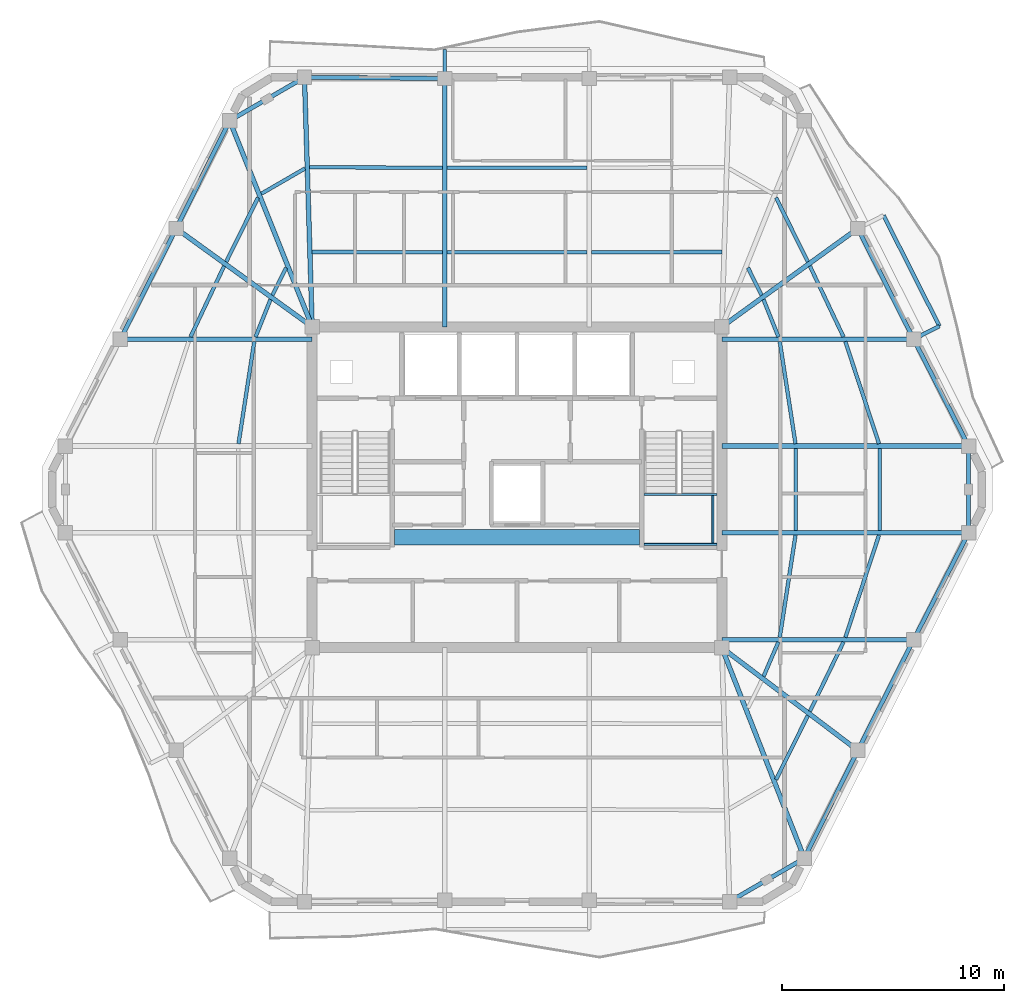
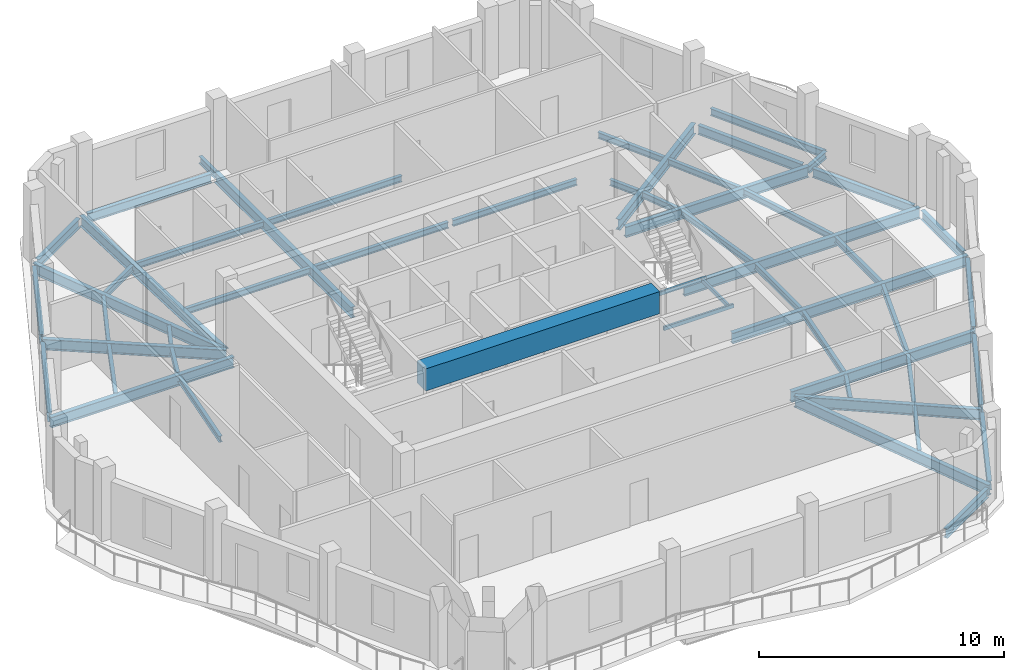
# One storey, part 2 of 10: 54 beams.
"""IFC4 building model written with IfcOpenShell, lengths in metres."""

from ifc_helpers import new_model, si_unit, direction, frame, origin, origin_2d, place, context, subcontext, project, spatial, rectangle, hollow_rectangle, i_section, extrude, material, material_profile, profile_set, type_object, element, save


model = new_model("IFC4")

# Units and contexts
model_context = context("Model", 3, precision=1e-05, world=origin(), true_north=direction((0.0, 1.0)))
body_context = subcontext(model_context, "Body", "Model", "MODEL_VIEW")
ifc_project = project(units=[si_unit("LENGTHUNIT", "METRE"), si_unit("AREAUNIT", "SQUARE_METRE"), si_unit("VOLUMEUNIT", "CUBIC_METRE"), si_unit("PLANEANGLEUNIT", "RADIAN"), si_unit("MASSUNIT", "GRAM", prefix="KILO")], contexts=[model_context])

# Site, building, storey
site_placement = place(None, origin())
site = spatial("IfcSite", under=ifc_project, at=site_placement, CompositionType="ELEMENT")
building_placement = place(site_placement, origin())
building = spatial("IfcBuilding", under=site, at=building_placement, Name="Cinnabar Lancet Tower", CompositionType="ELEMENT")
storey_placement = place(building_placement, frame((0.0, 0.0, 267.14990234375)))
storey = spatial("IfcBuildingStorey", under=building, at=storey_placement, Name="L71", CompositionType="ELEMENT", Elevation=267.14990234375)

# Beams
ifc_material_1 = material(Name="Concrete C70/85", Category="concrete")
ifc_material_profile_1 = material_profile(ifc_material_1, rectangle(XDim=0.699951171875, YDim=1.10009765625, at=origin_2d()), Name="RC-CB 700x1100")
ifc_profile_set_1 = profile_set([ifc_material_profile_1], Name="Concrete C70/85")
beam_type_1 = type_object("IfcBeamType", Name="STR-BM-CB-1100", PredefinedType="BEAM", material=ifc_profile_set_1)
beam_1_placement = place(storey_placement, frame((26.8798828125, 23.64990234375, 2.900146484375), z_axis=(1.0, 0.0, 0.0), x_axis=(0.0, 1.0, 0.0)))
element("IfcBeam", 1, at=beam_1_placement, inside=storey, type_object=beam_type_1, Name="L71 Core Coupling Beam", PredefinedType="BEAM", context=body_context, shape_type="SweptSolid", body=[
    extrude(rectangle(XDim=0.699951171875, YDim=1.10009765625, at=origin_2d()), origin(), (0.0, 0.0, 1.0), 11.0400390625),
])
ifc_material_2 = material(Name="Structural steel S355", Category="steel")
ifc_material_profile_2 = material_profile(ifc_material_2, i_section(OverallWidth=0.1650390625, OverallDepth=0.303466796875, WebThickness=0.006103515625, FlangeThickness=0.01025390625, FilletRadius=0.0087890625, at=origin_2d()), Name="UKB 305x165x40")
ifc_profile_set_2 = profile_set([ifc_material_profile_2], Name="Structural steel S355")
beam_type_2 = type_object("IfcBeamType", Name="STR-BM-JST-305", PredefinedType="JOIST", material=ifc_profile_set_2)
beam_2_placement = place(storey_placement, frame((44.06591796875, 12.73193359375, -0.351806640625), z_axis=(0.444391284604, 0.895832789179, 0.0), x_axis=(-0.895832789179, 0.444391284604, 0.0)))
element("IfcBeam", 2, at=beam_2_placement, inside=storey, type_object=beam_type_2, Name="L71 Secondary Floor Joist 15", PredefinedType="JOIST", context=body_context, shape_type="SweptSolid", body=[
    extrude(i_section(OverallWidth=0.1650390625, OverallDepth=0.303466796875, WebThickness=0.006103515625, FlangeThickness=0.01025390625, FilletRadius=0.0087890625, at=origin_2d()), origin(), (0.0, 0.0, 1.0), 3.220458984375),
])
beam_3_placement = place(storey_placement, frame((45.591064453125, 15.80810546875, -0.351806640625), z_axis=(0.43610936109, 0.899893674369, 0.0), x_axis=(-0.899893674369, 0.43610936109, 0.0)))
element("IfcBeam", 3, at=beam_3_placement, inside=storey, type_object=beam_type_2, Name="L71 Secondary Floor Joist 17", PredefinedType="JOIST", context=body_context, shape_type="SweptSolid", body=[
    extrude(i_section(OverallWidth=0.1650390625, OverallDepth=0.303466796875, WebThickness=0.006103515625, FlangeThickness=0.01025390625, FilletRadius=0.0087890625, at=origin_2d()), origin(), (0.0, 0.0, 1.0), 3.467041015625),
])
beam_4_placement = place(storey_placement, frame((43.5048828125, 17.385009765625, -0.351806640625), z_axis=(0.396302440144, 0.91812002262, 0.0), x_axis=(-0.91812002262, 0.396302440144, 0.0)))
element("IfcBeam", 4, at=beam_4_placement, inside=storey, type_object=beam_type_2, Name="L71 Secondary Floor Joist 18", PredefinedType="JOIST", context=body_context, shape_type="SweptSolid", body=[
    extrude(i_section(OverallWidth=0.1650390625, OverallDepth=0.303466796875, WebThickness=0.006103515625, FlangeThickness=0.01025390625, FilletRadius=0.0087890625, at=origin_2d()), origin(), (0.0, 0.0, 1.0), 1.6806640625),
])
beam_5_placement = place(storey_placement, frame((47.18798828125, 19.137939453125, -0.351806640625), z_axis=(0.312491145371, 0.949920672512, 0.0), x_axis=(-0.949920672512, 0.312491145371, 0.0)))
element("IfcBeam", 5, at=beam_5_placement, inside=storey, type_object=beam_type_2, Name="L71 Secondary Floor Joist 19", PredefinedType="JOIST", context=body_context, shape_type="SweptSolid", body=[
    extrude(i_section(OverallWidth=0.1650390625, OverallDepth=0.303466796875, WebThickness=0.006103515625, FlangeThickness=0.01025390625, FilletRadius=0.0087890625, at=origin_2d()), origin(), (0.0, 0.0, 1.0), 4.8447265625),
])
beam_6_placement = place(storey_placement, frame((44.23291015625, 19.137939453125, -0.351806640625), z_axis=(0.152262059154, 0.988340156698, 0.0), x_axis=(-0.988340156698, 0.152262059154, 0.0)))
element("IfcBeam", 6, at=beam_6_placement, inside=storey, type_object=beam_type_2, Name="L71 Secondary Floor Joist 20", PredefinedType="JOIST", context=body_context, shape_type="SweptSolid", body=[
    extrude(i_section(OverallWidth=0.1650390625, OverallDepth=0.303466796875, WebThickness=0.006103515625, FlangeThickness=0.01025390625, FilletRadius=0.0087890625, at=origin_2d()), origin(), (0.0, 0.0, 1.0), 4.65625),
])
for number, where, z_axis, x_axis, name in (
    (7, (48.737060546875, 23.949951171875, -0.351806640625), (0.0, 1.0, 0.0), (-1.0, 0.0, 0.0), "L71 Secondary Floor Joist 21"),
    (8, (44.958984375, 23.949951171875, -0.351806640625), (0.0, 1.0, 0.0), (-1.0, 0.0, 0.0), "L71 Secondary Floor Joist 22"),
):
    element("IfcBeam", number, at=place(storey_placement, frame(where, z_axis=z_axis, x_axis=x_axis)), inside=storey, type_object=beam_type_2, Name=name, PredefinedType="JOIST", context=body_context, shape_type="SweptSolid", body=[
        extrude(i_section(OverallWidth=0.1650390625, OverallDepth=0.303466796875, WebThickness=0.006103515625, FlangeThickness=0.01025390625, FilletRadius=0.0087890625, at=origin_2d()), origin(), (0.0, 0.0, 1.0), 3.699951171875),
    ])
beam_7_placement = place(storey_placement, frame((48.701904296875, 27.860107421875, -0.351806640625), z_axis=(-0.312506104996, 0.94991575118, 0.0), x_axis=(-0.94991575118, -0.312506104996, 0.0)))
element("IfcBeam", 9, at=beam_7_placement, inside=storey, type_object=beam_type_2, Name="L71 Secondary Floor Joist 23", PredefinedType="JOIST", context=body_context, shape_type="SweptSolid", body=[
    extrude(i_section(OverallWidth=0.1650390625, OverallDepth=0.303466796875, WebThickness=0.006103515625, FlangeThickness=0.01025390625, FilletRadius=0.0087890625, at=origin_2d()), origin(), (0.0, 0.0, 1.0), 4.844482421875),
])
beam_8_placement = place(storey_placement, frame((44.94189453125, 27.860107421875, -0.351806640625), z_axis=(-0.152269949853, 0.988338941038, 0.0), x_axis=(-0.988338941038, -0.152269949853, 0.0)))
element("IfcBeam", 10, at=beam_8_placement, inside=storey, type_object=beam_type_2, Name="L71 Secondary Floor Joist 24", PredefinedType="JOIST", context=body_context, shape_type="SweptSolid", body=[
    extrude(i_section(OverallWidth=0.1650390625, OverallDepth=0.303466796875, WebThickness=0.006103515625, FlangeThickness=0.01025390625, FilletRadius=0.0087890625, at=origin_2d()), origin(), (0.0, 0.0, 1.0), 4.656005859375),
])
beam_9_placement = place(storey_placement, frame((47.10400390625, 32.672119140625, -0.351806640625), z_axis=(-0.428647868514, 0.903471640296, 0.0), x_axis=(-0.903471640296, -0.428647868514, 0.0)))
element("IfcBeam", 11, at=beam_9_placement, inside=storey, type_object=beam_type_2, Name="L71 Secondary Floor Joist 25", PredefinedType="JOIST", context=body_context, shape_type="SweptSolid", body=[
    extrude(i_section(OverallWidth=0.1650390625, OverallDepth=0.303466796875, WebThickness=0.006103515625, FlangeThickness=0.01025390625, FilletRadius=0.0087890625, at=origin_2d()), origin(), (0.0, 0.0, 1.0), 3.53173828125),
])
beam_10_placement = place(storey_placement, frame((44.175048828125, 32.672119140625, -0.351806640625), z_axis=(-0.37155332079, 0.928411616585, 0.0), x_axis=(-0.928411616585, -0.37155332079, 0.0)))
element("IfcBeam", 12, at=beam_10_placement, inside=storey, type_object=beam_type_2, Name="L71 Secondary Floor Joist 26", PredefinedType="JOIST", context=body_context, shape_type="SweptSolid", body=[
    extrude(i_section(OverallWidth=0.1650390625, OverallDepth=0.303466796875, WebThickness=0.006103515625, FlangeThickness=0.01025390625, FilletRadius=0.0087890625, at=origin_2d()), origin(), (0.0, 0.0, 1.0), 1.8115234375),
])
beam_11_placement = place(storey_placement, frame((45.4970703125, 36.054931640625, -0.351806640625), z_axis=(-0.44427059531, 0.895892648783, 0.0), x_axis=(-0.895892648783, -0.44427059531, 0.0)))
element("IfcBeam", 13, at=beam_11_placement, inside=storey, type_object=beam_type_2, Name="L71 Secondary Floor Joist 27", PredefinedType="JOIST", context=body_context, shape_type="SweptSolid", body=[
    extrude(i_section(OverallWidth=0.1650390625, OverallDepth=0.303466796875, WebThickness=0.006103515625, FlangeThickness=0.01025390625, FilletRadius=0.0087890625, at=origin_2d()), origin(), (0.0, 0.0, 1.0), 3.221435546875),
])
beam_12_placement = place(storey_placement, frame((43.4150390625, 34.549072265625, -0.351806640625), z_axis=(-0.444661746427, 0.895698571655, 0.0), x_axis=(-0.895698571655, -0.444661746427, 0.0)))
element("IfcBeam", 14, at=beam_12_placement, inside=storey, type_object=beam_type_2, Name="L71 Secondary Floor Joist 28", PredefinedType="JOIST", context=body_context, shape_type="SweptSolid", body=[
    extrude(i_section(OverallWidth=0.1650390625, OverallDepth=0.303466796875, WebThickness=0.006103515625, FlangeThickness=0.01025390625, FilletRadius=0.0087890625, at=origin_2d()), origin(), (0.0, 0.0, 1.0), 1.378662109375),
])
beam_13_placement = place(storey_placement, frame((41.6240234375, 36.49609375, -0.351806640625), z_axis=(-0.999996226008, -0.002747356738, 0.0), x_axis=(0.002747356738, -0.999996226008, 0.0)))
element("IfcBeam", 15, at=beam_13_placement, inside=storey, type_object=beam_type_2, Name="L71 Secondary Floor Joist 31", PredefinedType="JOIST", context=body_context, shape_type="SweptSolid", body=[
    extrude(i_section(OverallWidth=0.1650390625, OverallDepth=0.303466796875, WebThickness=0.006103515625, FlangeThickness=0.01025390625, FilletRadius=0.0087890625, at=origin_2d()), origin(), (0.0, 0.0, 1.0), 5.864990234375),
])
for number, where, z_axis, x_axis, name in (
    (16, (35.549072265625, 40.281982421875, -0.351806640625), (-1.0, 0.0, 0.0), (0.0, -1.0, 0.0), "L71 Secondary Floor Joist 32"),
    (17, (35.549072265625, 36.47998046875, -0.351806640625), (-1.0, 0.0, 0.0), (0.0, -1.0, 0.0), "L71 Secondary Floor Joist 33"),
):
    element("IfcBeam", number, at=place(storey_placement, frame(where, z_axis=z_axis, x_axis=x_axis)), inside=storey, type_object=beam_type_2, Name=name, PredefinedType="JOIST", context=body_context, shape_type="SweptSolid", body=[
        extrude(i_section(OverallWidth=0.1650390625, OverallDepth=0.303466796875, WebThickness=0.006103515625, FlangeThickness=0.01025390625, FilletRadius=0.0087890625, at=origin_2d()), origin(), (0.0, 0.0, 1.0), 6.298095703125),
    ])
beam_14_placement = place(storey_placement, frame((29.041015625, 40.282958984375, -0.351806640625), z_axis=(-0.999985712428, 0.005345553266, 0.0), x_axis=(-0.005345553266, -0.999985712428, 0.0)))
element("IfcBeam", 18, at=beam_14_placement, inside=storey, type_object=beam_type_2, Name="L71 Secondary Floor Joist 34", PredefinedType="JOIST", context=body_context, shape_type="SweptSolid", body=[
    extrude(i_section(OverallWidth=0.1650390625, OverallDepth=0.303466796875, WebThickness=0.006103515625, FlangeThickness=0.01025390625, FilletRadius=0.0087890625, at=origin_2d()), origin(), (0.0, 0.0, 1.0), 5.98291015625),
])
beam_15_placement = place(storey_placement, frame((29.041015625, 36.47998046875, -0.351806640625), z_axis=(-0.999996226008, 0.002747356738, 0.0), x_axis=(-0.002747356738, -0.999996226008, 0.0)))
element("IfcBeam", 19, at=beam_15_placement, inside=storey, type_object=beam_type_2, Name="L71 Secondary Floor Joist 35", PredefinedType="JOIST", context=body_context, shape_type="SweptSolid", body=[
    extrude(i_section(OverallWidth=0.1650390625, OverallDepth=0.303466796875, WebThickness=0.006103515625, FlangeThickness=0.01025390625, FilletRadius=0.0087890625, at=origin_2d()), origin(), (0.0, 0.0, 1.0), 5.864990234375),
])
beam_16_placement = place(storey_placement, frame((22.85009765625, 40.256103515625, -0.351806640625), z_axis=(-0.865426285481, -0.501036270542, 0.0), x_axis=(0.501036270542, -0.865426285481, 0.0)))
element("IfcBeam", 20, at=beam_16_placement, inside=storey, type_object=beam_type_2, Name="L71 Secondary Floor Joist 36", PredefinedType="JOIST", context=body_context, shape_type="SweptSolid", body=[
    extrude(i_section(OverallWidth=0.1650390625, OverallDepth=0.303466796875, WebThickness=0.006103515625, FlangeThickness=0.01025390625, FilletRadius=0.0087890625, at=origin_2d()), origin(), (0.0, 0.0, 1.0), 2.267333984375),
])
beam_17_placement = place(storey_placement, frame((20.73388671875, 38.94091796875, -0.351806640625), z_axis=(-0.444209762814, -0.89592281287, 0.0), x_axis=(0.89592281287, -0.444209762814, 0.0)))
element("IfcBeam", 21, at=beam_17_placement, inside=storey, type_object=beam_type_2, Name="L71 Secondary Floor Joist 37", PredefinedType="JOIST", context=body_context, shape_type="SweptSolid", body=[
    extrude(i_section(OverallWidth=0.1650390625, OverallDepth=0.303466796875, WebThickness=0.006103515625, FlangeThickness=0.01025390625, FilletRadius=0.0087890625, at=origin_2d()), origin(), (0.0, 0.0, 1.0), 3.22119140625),
])
beam_18_placement = place(storey_placement, frame((21.998046875, 35.783935546875, -0.351806640625), z_axis=(-0.444661746427, -0.895698571655, 0.0), x_axis=(0.895698571655, -0.444661746427, 0.0)))
element("IfcBeam", 22, at=beam_18_placement, inside=storey, type_object=beam_type_2, Name="L71 Secondary Floor Joist 38", PredefinedType="JOIST", context=body_context, shape_type="SweptSolid", body=[
    extrude(i_section(OverallWidth=0.1650390625, OverallDepth=0.303466796875, WebThickness=0.006103515625, FlangeThickness=0.01025390625, FilletRadius=0.0087890625, at=origin_2d()), origin(), (0.0, 0.0, 1.0), 1.378662109375),
])
beam_19_placement = place(storey_placement, frame((19.2099609375, 35.863037109375, -0.351806640625), z_axis=(-0.428647868514, -0.903471640296, 0.0), x_axis=(0.903471640296, -0.428647868514, 0.0)))
element("IfcBeam", 23, at=beam_19_placement, inside=storey, type_object=beam_type_2, Name="L71 Secondary Floor Joist 39", PredefinedType="JOIST", context=body_context, shape_type="SweptSolid", body=[
    extrude(i_section(OverallWidth=0.1650390625, OverallDepth=0.303466796875, WebThickness=0.006103515625, FlangeThickness=0.01025390625, FilletRadius=0.0087890625, at=origin_2d()), origin(), (0.0, 0.0, 1.0), 3.53173828125),
])
beam_20_placement = place(storey_placement, frame((21.298095703125, 34.35400390625, -0.351806640625), z_axis=(-0.37155332079, -0.928411616585, 0.0), x_axis=(0.928411616585, -0.37155332079, 0.0)))
element("IfcBeam", 24, at=beam_20_placement, inside=storey, type_object=beam_type_2, Name="L71 Secondary Floor Joist 40", PredefinedType="JOIST", context=body_context, shape_type="SweptSolid", body=[
    extrude(i_section(OverallWidth=0.1650390625, OverallDepth=0.303466796875, WebThickness=0.006103515625, FlangeThickness=0.01025390625, FilletRadius=0.0087890625, at=origin_2d()), origin(), (0.0, 0.0, 1.0), 1.8115234375),
])
beam_21_placement = place(storey_placement, frame((20.56689453125, 32.4619140625, -0.351806640625), z_axis=(-0.152269949853, -0.988338941038, 0.0), x_axis=(0.988338941038, -0.152269949853, 0.0)))
element("IfcBeam", 25, at=beam_21_placement, inside=storey, type_object=beam_type_2, Name="L71 Secondary Floor Joist 42", PredefinedType="JOIST", context=body_context, shape_type="SweptSolid", body=[
    extrude(i_section(OverallWidth=0.1650390625, OverallDepth=0.303466796875, WebThickness=0.006103515625, FlangeThickness=0.01025390625, FilletRadius=0.0087890625, at=origin_2d()), origin(), (0.0, 0.0, 1.0), 4.656005859375),
])
ifc_material_3 = material(Name="Structural steel S355", Category="steel")
ifc_material_profile_3 = material_profile(ifc_material_3, hollow_rectangle(XDim=0.10009765625, YDim=0.199951171875, WallThickness=0.008056640625, InnerFilletRadius=0.00390625, OuterFilletRadius=0.011962890625, at=origin_2d()), Name="RHS 200x100x8")
ifc_profile_set_3 = profile_set([ifc_material_profile_3], Name="Structural steel S355")
beam_type_3 = type_object("IfcBeamType", Name="STR-BM-LND-203", PredefinedType="BEAM", material=ifc_profile_set_3)
for number, where, z_axis, x_axis, name in (
    (26, (38.1201171875, 23.330078125, 1.525146484375), (1.0, 0.0, 0.0), (0.0, 1.0, 0.0), "L71 ST-2-L71 Landing Support Beam S"),
    (27, (38.1201171875, 25.570068359375, 1.525146484375), (1.0, 0.0, 0.0), (0.0, 1.0, 0.0), "L71 ST-2-L71 Landing Support Beam N"),
):
    element("IfcBeam", number, at=place(storey_placement, frame(where, z_axis=z_axis, x_axis=x_axis)), inside=storey, type_object=beam_type_3, Name=name, PredefinedType="BEAM", context=body_context, shape_type="SweptSolid", body=[
        extrude(hollow_rectangle(XDim=0.10009765625, YDim=0.199951171875, WallThickness=0.008056640625, InnerFilletRadius=0.00390625, OuterFilletRadius=0.011962890625, at=origin_2d()), origin(), (0.0, 0.0, 1.0), 3.27978515625),
    ])
beam_22_placement = place(storey_placement, frame((41.219970703125, 23.3798828125, 1.525146484375), z_axis=(0.0, 1.0, 0.0), x_axis=(-1.0, 0.0, 0.0)))
element("IfcBeam", 28, at=beam_22_placement, inside=storey, type_object=beam_type_3, Name="L71 ST-2-L71 Landing Side Trimmer Beam", PredefinedType="BEAM", context=body_context, shape_type="SweptSolid", body=[
    extrude(hollow_rectangle(XDim=0.10009765625, YDim=0.199951171875, WallThickness=0.008056640625, InnerFilletRadius=0.00390625, OuterFilletRadius=0.011962890625, at=origin_2d()), origin(), (0.0, 0.0, 1.0), 2.14013671875),
])
ifc_material_4 = material(Name="Structural steel S355", Category="steel")
ifc_material_profile_4 = material_profile(ifc_material_4, i_section(OverallWidth=0.1904296875, OverallDepth=0.45703125, WebThickness=0.009033203125, FlangeThickness=0.014404296875, FilletRadius=0.01025390625, at=origin_2d()), Name="UKB 457x191x74")
ifc_profile_set_4 = profile_set([ifc_material_profile_4], Name="Structural steel S355")
beam_type_4 = type_object("IfcBeamType", Name="STR-BM-SPN-457", PredefinedType="SPANDREL", material=ifc_profile_set_4)
beam_23_placement = place(storey_placement, frame((42.18798828125, 7.364013671875, -0.428955078125), z_axis=(0.865230894194, 0.50137361292, 0.0), x_axis=(-0.50137361292, 0.865230894194, 0.0)))
element("IfcBeam", 29, at=beam_23_placement, inside=storey, type_object=beam_type_4, Name="L71 Perimeter Spandrel 4", PredefinedType="SPANDREL", context=body_context, shape_type="SweptSolid", body=[
    extrude(i_section(OverallWidth=0.1904296875, OverallDepth=0.45703125, WebThickness=0.009033203125, FlangeThickness=0.014404296875, FilletRadius=0.01025390625, at=origin_2d()), origin(), (0.0, 0.0, 1.0), 3.39453125),
])
beam_24_placement = place(storey_placement, frame((45.451904296875, 9.4150390625, -0.428955078125), z_axis=(0.444372599207, 0.895842058107, 0.0), x_axis=(-0.895842058107, 0.444372599207, 0.0)))
element("IfcBeam", 30, at=beam_24_placement, inside=storey, type_object=beam_type_4, Name="L71 Perimeter Spandrel 5", PredefinedType="SPANDREL", context=body_context, shape_type="SweptSolid", body=[
    extrude(i_section(OverallWidth=0.1904296875, OverallDepth=0.45703125, WebThickness=0.009033203125, FlangeThickness=0.014404296875, FilletRadius=0.01025390625, at=origin_2d()), origin(), (0.0, 0.0, 1.0), 4.91943359375),
])
beam_25_placement = place(storey_placement, frame((47.862060546875, 14.26904296875, -0.428955078125), z_axis=(0.450091864122, 0.892982258419, 0.0), x_axis=(-0.892982258419, 0.450091864122, 0.0)))
element("IfcBeam", 31, at=beam_25_placement, inside=storey, type_object=beam_type_4, Name="L71 Perimeter Spandrel 6", PredefinedType="SPANDREL", context=body_context, shape_type="SweptSolid", body=[
    extrude(i_section(OverallWidth=0.1904296875, OverallDepth=0.45703125, WebThickness=0.009033203125, FlangeThickness=0.014404296875, FilletRadius=0.01025390625, at=origin_2d()), origin(), (0.0, 0.0, 1.0), 5.085205078125),
])
beam_26_placement = place(storey_placement, frame((50.3779296875, 19.2548828125, -0.428955078125), z_axis=(0.457127852293, 0.889400993174, 0.0), x_axis=(-0.889400993174, 0.457127852293, 0.0)))
element("IfcBeam", 32, at=beam_26_placement, inside=storey, type_object=beam_type_4, Name="L71 Perimeter Spandrel 7", PredefinedType="SPANDREL", context=body_context, shape_type="SweptSolid", body=[
    extrude(i_section(OverallWidth=0.1904296875, OverallDepth=0.45703125, WebThickness=0.009033203125, FlangeThickness=0.014404296875, FilletRadius=0.01025390625, at=origin_2d()), origin(), (0.0, 0.0, 1.0), 4.911376953125),
])
beam_27_placement = place(storey_placement, frame((52.737060546875, 24.094970703125, -0.428955078125), z_axis=(0.0, 1.0, 0.0), x_axis=(-1.0, 0.0, 0.0)))
element("IfcBeam", 33, at=beam_27_placement, inside=storey, type_object=beam_type_4, Name="L71 Perimeter Spandrel 8", PredefinedType="SPANDREL", context=body_context, shape_type="SweptSolid", body=[
    extrude(i_section(OverallWidth=0.1904296875, OverallDepth=0.45703125, WebThickness=0.009033203125, FlangeThickness=0.014404296875, FilletRadius=0.01025390625, at=origin_2d()), origin(), (0.0, 0.0, 1.0), 3.409912109375),
])
beam_28_placement = place(storey_placement, frame((52.623046875, 27.97705078125, -0.428955078125), z_axis=(-0.457148063427, 0.889390604912, 0.0), x_axis=(-0.889390604912, -0.457148063427, 0.0)))
element("IfcBeam", 34, at=beam_28_placement, inside=storey, type_object=beam_type_4, Name="L71 Perimeter Spandrel 9", PredefinedType="SPANDREL", context=body_context, shape_type="SweptSolid", body=[
    extrude(i_section(OverallWidth=0.1904296875, OverallDepth=0.45703125, WebThickness=0.009033203125, FlangeThickness=0.014404296875, FilletRadius=0.01025390625, at=origin_2d()), origin(), (0.0, 0.0, 1.0), 4.9111328125),
])
beam_29_placement = place(storey_placement, frame((50.15087890625, 32.7900390625, -0.428955078125), z_axis=(-0.450091864122, 0.892982258419, 0.0), x_axis=(-0.892982258419, -0.450091864122, 0.0)))
element("IfcBeam", 35, at=beam_29_placement, inside=storey, type_object=beam_type_4, Name="L71 Perimeter Spandrel 10", PredefinedType="SPANDREL", context=body_context, shape_type="SweptSolid", body=[
    extrude(i_section(OverallWidth=0.1904296875, OverallDepth=0.45703125, WebThickness=0.009033203125, FlangeThickness=0.014404296875, FilletRadius=0.01025390625, at=origin_2d()), origin(), (0.0, 0.0, 1.0), 5.085205078125),
])
beam_30_placement = place(storey_placement, frame((28.89599609375, 44.31005859375, -0.428955078125), z_axis=(-0.999964785419, 0.008392134492, 0.0), x_axis=(-0.008392134492, -0.999964785419, 0.0)))
element("IfcBeam", 36, at=beam_30_placement, inside=storey, type_object=beam_type_4, Name="L71 Perimeter Spandrel 15", PredefinedType="SPANDREL", context=body_context, shape_type="SweptSolid", body=[
    extrude(i_section(OverallWidth=0.1904296875, OverallDepth=0.45703125, WebThickness=0.009033203125, FlangeThickness=0.014404296875, FilletRadius=0.01025390625, at=origin_2d()), origin(), (0.0, 0.0, 1.0), 5.818359375),
])
beam_31_placement = place(storey_placement, frame((22.612060546875, 44.236083984375, -0.428955078125), z_axis=(-0.865199693264, -0.501427453153, 0.0), x_axis=(0.501427453153, -0.865199693264, 0.0)))
element("IfcBeam", 37, at=beam_31_placement, inside=storey, type_object=beam_type_4, Name="L71 Perimeter Spandrel 16", PredefinedType="SPANDREL", context=body_context, shape_type="SweptSolid", body=[
    extrude(i_section(OverallWidth=0.1904296875, OverallDepth=0.45703125, WebThickness=0.009033203125, FlangeThickness=0.014404296875, FilletRadius=0.01025390625, at=origin_2d()), origin(), (0.0, 0.0, 1.0), 3.39453125),
])
beam_32_placement = place(storey_placement, frame((19.347900390625, 42.18505859375, -0.428955078125), z_axis=(-0.44433276947, -0.895861814107, 0.0), x_axis=(0.895861814107, -0.44433276947, 0.0)))
element("IfcBeam", 38, at=beam_32_placement, inside=storey, type_object=beam_type_4, Name="L71 Perimeter Spandrel 17", PredefinedType="SPANDREL", context=body_context, shape_type="SweptSolid", body=[
    extrude(i_section(OverallWidth=0.1904296875, OverallDepth=0.45703125, WebThickness=0.009033203125, FlangeThickness=0.014404296875, FilletRadius=0.01025390625, at=origin_2d()), origin(), (0.0, 0.0, 1.0), 4.919189453125),
])
beam_33_placement = place(storey_placement, frame((16.93798828125, 37.3310546875, -0.428955078125), z_axis=(-0.450130146726, -0.892962961722, 0.0), x_axis=(0.892962961722, -0.450130146726, 0.0)))
element("IfcBeam", 39, at=beam_33_placement, inside=storey, type_object=beam_type_4, Name="L71 Perimeter Spandrel 18", PredefinedType="SPANDREL", context=body_context, shape_type="SweptSolid", body=[
    extrude(i_section(OverallWidth=0.1904296875, OverallDepth=0.45703125, WebThickness=0.009033203125, FlangeThickness=0.014404296875, FilletRadius=0.01025390625, at=origin_2d()), origin(), (0.0, 0.0, 1.0), 5.08544921875),
])
ifc_material_5 = material(Name="Structural steel S355", Category="steel")
ifc_material_profile_5 = material_profile(ifc_material_5, i_section(OverallWidth=0.209228515625, OverallDepth=0.533203125, WebThickness=0.010009765625, FlangeThickness=0.015625, FilletRadius=0.0126953125, at=origin_2d()), Name="UKB 533x210x92")
ifc_profile_set_5 = profile_set([ifc_material_profile_5], Name="Structural steel S355")
beam_type_5 = type_object("IfcBeamType", Name="STR-BM-UKB533-92", PredefinedType="BEAM", material=ifc_profile_set_5)
beam_34_placement = place(storey_placement, frame((47.7490234375, 14.0458984375, -0.466796875), z_axis=(-0.797735075719, 0.603008083667, 0.0), x_axis=(-0.603008083667, -0.797735075719, 0.0)))
element("IfcBeam", 40, at=beam_34_placement, inside=storey, type_object=beam_type_5, Name="L71 Corner Collector Girder 2", PredefinedType="BEAM", context=body_context, shape_type="SweptSolid", body=[
    extrude(i_section(OverallWidth=0.209228515625, OverallDepth=0.533203125, WebThickness=0.010009765625, FlangeThickness=0.015625, FilletRadius=0.0126953125, at=origin_2d()), origin(), (0.0, 0.0, 1.0), 7.6767578125),
])
for number, where, z_axis, x_axis, name in (
    (41, (47.7490234375, 37.553955078125, -0.466796875), (-0.810299148474, -0.586016458797, 0.0), (0.586016458797, -0.810299148474, 0.0), "L71 Corner Collector Girder 3"),
    (42, (17.051025390625, 37.553955078125, -0.466796875), (0.810299148474, -0.586016458797, 0.0), (0.586016458797, 0.810299148474, 0.0), "L71 Corner Collector Girder 4"),
):
    element("IfcBeam", number, at=place(storey_placement, frame(where, z_axis=z_axis, x_axis=x_axis)), inside=storey, type_object=beam_type_5, Name=name, PredefinedType="BEAM", context=body_context, shape_type="SweptSolid", body=[
        extrude(i_section(OverallWidth=0.209228515625, OverallDepth=0.533203125, WebThickness=0.010009765625, FlangeThickness=0.015625, FilletRadius=0.0126953125, at=origin_2d()), origin(), (0.0, 0.0, 1.0), 7.5576171875),
    ])
beam_35_placement = place(storey_placement, frame((45.341064453125, 9.19091796875, -0.466796875), z_axis=(-0.364815017375, 0.931080019707, 0.0), x_axis=(-0.931080019707, -0.364815017375, 0.0)))
element("IfcBeam", 43, at=beam_35_placement, inside=storey, type_object=beam_type_5, Name="L71 Primary Floor Girder 5", PredefinedType="BEAM", context=body_context, shape_type="SweptSolid", body=[
    extrude(i_section(OverallWidth=0.209228515625, OverallDepth=0.533203125, WebThickness=0.010009765625, FlangeThickness=0.015625, FilletRadius=0.0126953125, at=origin_2d()), origin(), (0.0, 0.0, 1.0), 10.186279296875),
])
beam_36_placement = place(storey_placement, frame((50.263916015625, 19.032958984375, -0.466796875), z_axis=(-1.0, 0.0, 0.0), x_axis=(0.0, -1.0, 0.0)))
element("IfcBeam", 44, at=beam_36_placement, inside=storey, type_object=beam_type_5, Name="L71 Primary Floor Girder 7", PredefinedType="BEAM", context=body_context, shape_type="SweptSolid", body=[
    extrude(i_section(OverallWidth=0.209228515625, OverallDepth=0.533203125, WebThickness=0.010009765625, FlangeThickness=0.015625, FilletRadius=0.0126953125, at=origin_2d()), origin(), (0.0, 0.0, 1.0), 8.638916015625),
])
for number, where, z_axis, x_axis, name in (
    (45, (52.737060546875, 23.844970703125, -0.466796875), (-1.0, 0.0, 0.0), (0.0, -1.0, 0.0), "L71 Primary Floor Girder 8"),
    (46, (52.737060546875, 27.7548828125, -0.466796875), (-1.0, 0.0, 0.0), (0.0, -1.0, 0.0), "L71 Primary Floor Girder 9"),
):
    element("IfcBeam", number, at=place(storey_placement, frame(where, z_axis=z_axis, x_axis=x_axis)), inside=storey, type_object=beam_type_5, Name=name, PredefinedType="BEAM", context=body_context, shape_type="SweptSolid", body=[
        extrude(i_section(OverallWidth=0.209228515625, OverallDepth=0.533203125, WebThickness=0.010009765625, FlangeThickness=0.015625, FilletRadius=0.0126953125, at=origin_2d()), origin(), (0.0, 0.0, 1.0), 11.112060546875),
    ])
beam_37_placement = place(storey_placement, frame((50.263916015625, 32.56689453125, -0.466796875), z_axis=(-1.0, 0.0, 0.0), x_axis=(0.0, -1.0, 0.0)))
element("IfcBeam", 47, at=beam_37_placement, inside=storey, type_object=beam_type_5, Name="L71 Primary Floor Girder 10", PredefinedType="BEAM", context=body_context, shape_type="SweptSolid", body=[
    extrude(i_section(OverallWidth=0.209228515625, OverallDepth=0.533203125, WebThickness=0.010009765625, FlangeThickness=0.015625, FilletRadius=0.0126953125, at=origin_2d()), origin(), (0.0, 0.0, 1.0), 8.638916015625),
])
beam_38_placement = place(storey_placement, frame((29.14599609375, 44.30810546875, -0.466796875), z_axis=(0.0, -1.0, 0.0), x_axis=(1.0, 0.0, 0.0)))
element("IfcBeam", 48, at=beam_38_placement, inside=storey, type_object=beam_type_5, Name="L71 Primary Floor Girder 15", PredefinedType="BEAM", context=body_context, shape_type="SweptSolid", body=[
    extrude(i_section(OverallWidth=0.209228515625, OverallDepth=0.533203125, WebThickness=0.010009765625, FlangeThickness=0.015625, FilletRadius=0.0126953125, at=origin_2d()), origin(), (0.0, 0.0, 1.0), 11.18310546875),
])
beam_39_placement = place(storey_placement, frame((22.827880859375, 44.361083984375, -0.466796875), z_axis=(0.030882856862, -0.999523010817, 0.0), x_axis=(0.999523010817, 0.030882856862, 0.0)))
element("IfcBeam", 49, at=beam_39_placement, inside=storey, type_object=beam_type_5, Name="L71 Primary Floor Girder 16", PredefinedType="BEAM", context=body_context, shape_type="SweptSolid", body=[
    extrude(i_section(OverallWidth=0.209228515625, OverallDepth=0.533203125, WebThickness=0.010009765625, FlangeThickness=0.015625, FilletRadius=0.0126953125, at=origin_2d()), origin(), (0.0, 0.0, 1.0), 11.241455078125),
])
beam_40_placement = place(storey_placement, frame((19.458984375, 42.408935546875, -0.466796875), z_axis=(0.371605341166, -0.928390796172, 0.0), x_axis=(0.928390796172, 0.371605341166, 0.0)))
element("IfcBeam", 50, at=beam_40_placement, inside=storey, type_object=beam_type_5, Name="L71 Primary Floor Girder 17", PredefinedType="BEAM", context=body_context, shape_type="SweptSolid", body=[
    extrude(i_section(OverallWidth=0.209228515625, OverallDepth=0.533203125, WebThickness=0.010009765625, FlangeThickness=0.015625, FilletRadius=0.0126953125, at=origin_2d()), origin(), (0.0, 0.0, 1.0), 10.0),
])
beam_41_placement = place(storey_placement, frame((14.535888671875, 32.56689453125, -0.466796875), z_axis=(1.0, 0.0, 0.0), x_axis=(0.0, 1.0, 0.0)))
element("IfcBeam", 51, at=beam_41_placement, inside=storey, type_object=beam_type_5, Name="L71 Primary Floor Girder 19", PredefinedType="BEAM", context=body_context, shape_type="SweptSolid", body=[
    extrude(i_section(OverallWidth=0.209228515625, OverallDepth=0.533203125, WebThickness=0.010009765625, FlangeThickness=0.015625, FilletRadius=0.0126953125, at=origin_2d()), origin(), (0.0, 0.0, 1.0), 8.63916015625),
])
ifc_material_6 = material(Name="Structural steel S355", Category="steel")
ifc_material_profile_6 = material_profile(ifc_material_6, i_section(OverallWidth=0.17138671875, OverallDepth=0.35498046875, WebThickness=0.00732421875, FlangeThickness=0.011474609375, FilletRadius=0.01025390625, at=origin_2d()), Name="UKB 356x171x51")
ifc_profile_set_6 = profile_set([ifc_material_profile_6], Name="Structural steel S355")
beam_type_6 = type_object("IfcBeamType", Name="STR-BM-WAV-OUT", PredefinedType="BEAM", material=ifc_profile_set_6)
beam_42_placement = place(storey_placement, frame((50.263916015625, 32.56689453125, -0.39794921875), z_axis=(0.892238560088, 0.451564338597, 0.0), x_axis=(-0.451564338597, 0.892238560088, 0.0)))
element("IfcBeam", 52, at=beam_42_placement, inside=storey, type_object=beam_type_6, Name="L71 Face 3 Balcony Outlooker A", PredefinedType="BEAM", context=body_context, shape_type="SweptSolid", body=[
    extrude(i_section(OverallWidth=0.17138671875, OverallDepth=0.35498046875, WebThickness=0.00732421875, FlangeThickness=0.011474609375, FilletRadius=0.01025390625, at=origin_2d()), origin(), (0.0, 0.0, 1.0), 1.30029296875),
])
beam_43_placement = place(storey_placement, frame((29.14599609375, 44.30810546875, -0.39794921875), z_axis=(0.0, 1.0, 0.0), x_axis=(-1.0, 0.0, 0.0)))
element("IfcBeam", 53, at=beam_43_placement, inside=storey, type_object=beam_type_6, Name="L71 Face 4 Balcony Outlooker B", PredefinedType="BEAM", context=body_context, shape_type="SweptSolid", body=[
    extrude(i_section(OverallWidth=0.17138671875, OverallDepth=0.35498046875, WebThickness=0.00732421875, FlangeThickness=0.011474609375, FilletRadius=0.01025390625, at=origin_2d()), origin(), (0.0, 0.0, 1.0), 1.2998046875),
])
ifc_material_7 = material(Name="Structural steel S355", Category="steel")
ifc_material_profile_7 = material_profile(ifc_material_7, i_section(OverallWidth=0.17138671875, OverallDepth=0.35498046875, WebThickness=0.00732421875, FlangeThickness=0.011474609375, FilletRadius=0.01025390625, at=origin_2d()), Name="UKB 356x171x51")
ifc_profile_set_7 = profile_set([ifc_material_profile_7], Name="Structural steel S355")
beam_type_7 = type_object("IfcBeamType", Name="STR-BM-WAV-TRIM", PredefinedType="SPANDREL", material=ifc_profile_set_7)
beam_44_placement = place(storey_placement, frame((51.424072265625, 33.154052734375, -0.39794921875), z_axis=(-0.450305622338, 0.892874485295, 0.0), x_axis=(-0.892874485295, -0.450305622338, 0.0)))
element("IfcBeam", 54, at=beam_44_placement, inside=storey, type_object=beam_type_7, Name="L71 Face 3 Balcony Edge Trimmer", PredefinedType="SPANDREL", context=body_context, shape_type="SweptSolid", body=[
    extrude(i_section(OverallWidth=0.17138671875, OverallDepth=0.35498046875, WebThickness=0.00732421875, FlangeThickness=0.011474609375, FilletRadius=0.01025390625, at=origin_2d()), origin(), (0.0, 0.0, 1.0), 5.58544921875),
])

save(model, "model.ifc")
